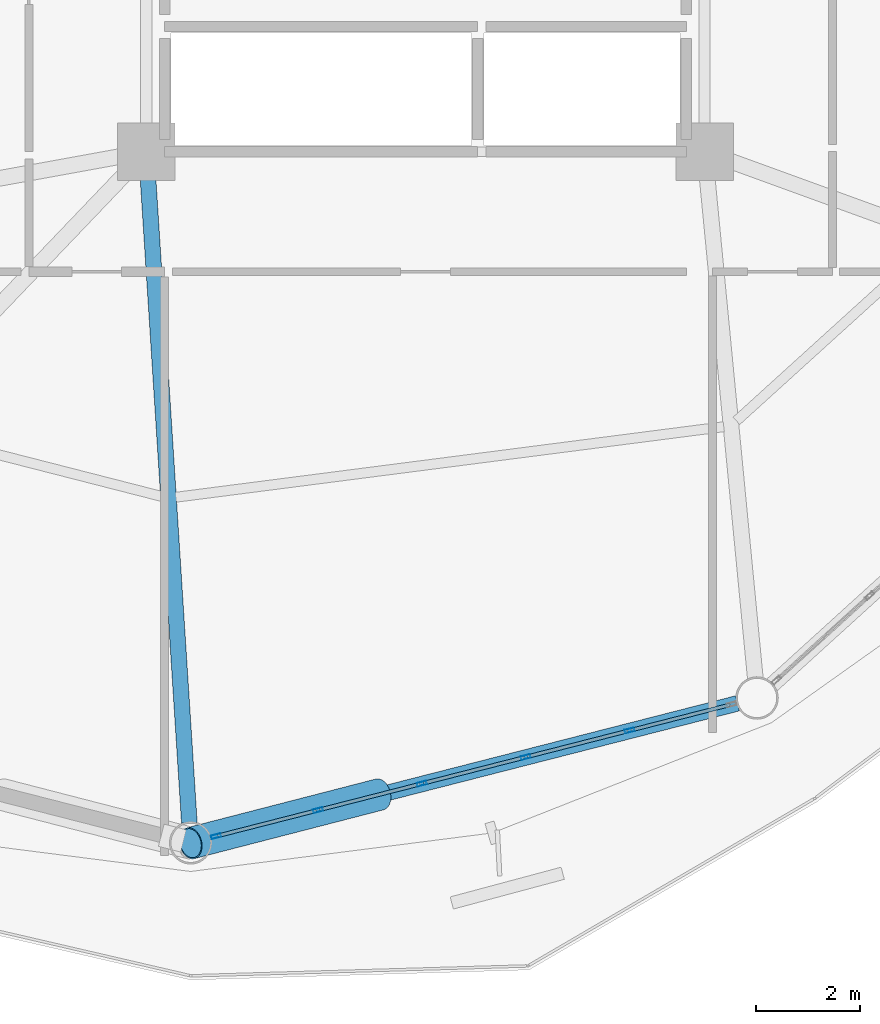
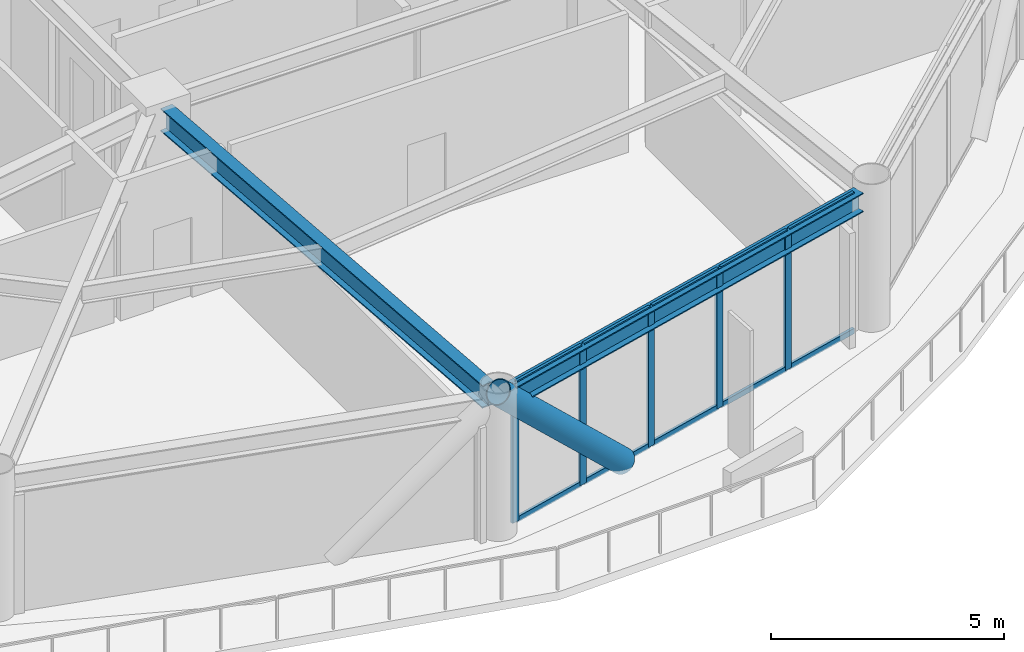
# One storey, part 5 of 23: 16 members, 2 beams, 1 element without a shape of its own.
"""IFC4 building model written with IfcOpenShell, lengths in metres."""

from ifc_helpers import new_model, si_unit, direction, frame, origin, origin_2d, place, context, subcontext, project, spatial, hollow_rectangle, hollow_circle, i_section, extrude, material, layer, layer_set, material_profile, profile_set, type_object, element, aggregate, save


model = new_model("IFC4")

# Units and contexts
model_context = context("Model", 3, precision=1e-05, world=origin(), true_north=direction((0.0, 1.0)))
body_context = subcontext(model_context, "Body", "Model", "MODEL_VIEW")
ifc_project = project(units=[si_unit("LENGTHUNIT", "METRE"), si_unit("AREAUNIT", "SQUARE_METRE"), si_unit("VOLUMEUNIT", "CUBIC_METRE"), si_unit("PLANEANGLEUNIT", "RADIAN"), si_unit("MASSUNIT", "GRAM", prefix="KILO")], contexts=[model_context])

# Site, building, storey
site_placement = place(None, origin())
site = spatial("IfcSite", under=ifc_project, at=site_placement, CompositionType="ELEMENT")
building_placement = place(site_placement, origin())
building = spatial("IfcBuilding", under=site, at=building_placement, Name="Varnakorn Sky Granary", CompositionType="ELEMENT")
storey_placement = place(building_placement, frame((0.0, 0.0, 83.699951171875)))
storey = spatial("IfcBuildingStorey", under=building, at=storey_placement, Name="L20", CompositionType="ELEMENT", Elevation=83.699951171875)

# Beams
ifc_material_1 = material(Name="Steel S355JR", Category="steel")
ifc_material_profile_1 = material_profile(ifc_material_1, i_section(OverallWidth=0.300048828125, OverallDepth=0.60009765625, WebThickness=0.015380859375, FlangeThickness=0.030029296875, at=origin_2d()), Name="HE 600 B")
ifc_profile_set_1 = profile_set([ifc_material_profile_1], Name="Steel S355JR")
beam_type_1 = type_object("IfcBeamType", Name="BM-RAD-Z2", PredefinedType="BEAM", material=ifc_profile_set_1)
beam_1_placement = place(storey_placement, frame((-2.322998046875, -7.01904296875, 3.340087890625), z_axis=(0.064003523305, -0.997949672581, 0.0), x_axis=(0.997949672581, 0.064003523305, 0.0)))
element("IfcBeam", 1, at=beam_1_placement, inside=storey, type_object=beam_type_1, Name="Radial Floor Girder RG10 L20", PredefinedType="BEAM", context=body_context, shape_type="SweptSolid", body=[
    extrude(i_section(OverallWidth=0.300048828125, OverallDepth=0.60009765625, WebThickness=0.015380859375, FlangeThickness=0.030029296875, at=origin_2d()), origin(), (0.0, 0.0, 1.0), 12.4658203125),
])
ifc_material_profile_2 = material_profile(ifc_material_1, i_section(OverallWidth=0.300048828125, OverallDepth=0.5, WebThickness=0.014404296875, FlangeThickness=0.028076171875, at=origin_2d()), Name="HE 500 B")
ifc_profile_set_2 = profile_set([ifc_material_profile_2], Name="Steel S355JR")
beam_type_2 = type_object("IfcBeamType", Name="BM-SPD-Z2", PredefinedType="SPANDREL", material=ifc_profile_set_2)
beam_2_placement = place(storey_placement, frame((-1.12060546875, -19.7529296875, 3.39013671875), z_axis=(0.968829377947, 0.247728957586, 0.0), x_axis=(-0.247728957586, 0.968829377947, 0.0)))
element("IfcBeam", 2, at=beam_2_placement, inside=storey, type_object=beam_type_2, Name="Perimeter Spandrel Ring Beam RB10 L20", PredefinedType="SPANDREL", context=body_context, shape_type="SweptSolid", body=[
    extrude(i_section(OverallWidth=0.300048828125, OverallDepth=0.5, WebThickness=0.014404296875, FlangeThickness=0.028076171875, at=origin_2d()), origin(), (0.0, 0.0, 1.0), 10.423828125),
])

# Curtain wall, members
ifc_material_2 = material(Name="Anodised Bronze Aluminium Alloy 6063-T6", Category="aluminium")
ifc_layer = layer(ifc_material_2, 0.18994140625, Name="Anodised Bronze Aluminium Alloy 6063-T6")
ifc_layer_set = layer_set([ifc_layer], Name="Anodised Bronze Aluminium Alloy 6063-T6")
curtain_wall_type = type_object("IfcCurtainWallType", Name="CW-FRM-1", PredefinedType="USERDEFINED", material=ifc_layer_set)
curtain_wall_placement = place(storey_placement, origin())
curtain_wall = element("IfcCurtainWall", 3, at=curtain_wall_placement, inside=storey, type_object=curtain_wall_type, Name="Unitised Curtain Wall CW3 CW-L20-B10", ObjectType="CURTAIN WALL", PredefinedType="USERDEFINED")
ifc_material_profile_3 = material_profile(ifc_material_2, hollow_rectangle(XDim=0.070068359375, YDim=0.18505859375, WallThickness=0.00390625, at=origin_2d()), Name="ALU MULL 70x185")
ifc_profile_set_3 = profile_set([ifc_material_profile_3], Name="Anodised Bronze Aluminium Alloy 6063-T6")
member_type_1 = type_object("IfcMemberType", Name="CW-FRM-1-MULL", PredefinedType="MULLION", material=ifc_profile_set_3)
member_1_placement = place(storey_placement, frame((6.910888671875, -17.691162109375, 0.0), z_axis=(0.0, 0.0, 1.0), x_axis=(0.247745034815, -0.968825266869, 0.0)))
member_1 = element("IfcMember", 4, at=member_1_placement, type_object=member_type_1, Name="CW3 mullion 2", PredefinedType="MULLION", context=body_context, shape_type="SweptSolid", body=[
    extrude(hollow_rectangle(XDim=0.070068359375, YDim=0.18505859375, WallThickness=0.00390625, at=origin_2d()), origin(), (0.0, 0.0, 1.0), 3.64013671875),
])
member_2_placement = place(storey_placement, frame((4.921142578125, -18.199951171875, 0.0), z_axis=(0.0, 0.0, 1.0), x_axis=(0.247745034815, -0.968825266869, 0.0)))
member_2 = element("IfcMember", 5, at=member_2_placement, type_object=member_type_1, Name="CW3 mullion 3", PredefinedType="MULLION", context=body_context, shape_type="SweptSolid", body=[
    extrude(hollow_rectangle(XDim=0.070068359375, YDim=0.18505859375, WallThickness=0.00390625, at=origin_2d()), origin(), (0.0, 0.0, 1.0), 3.64013671875),
])
member_3_placement = place(storey_placement, frame((2.931396484375, -18.708740234375, 0.0), z_axis=(0.0, 0.0, 1.0), x_axis=(0.247745034815, -0.968825266869, 0.0)))
member_3 = element("IfcMember", 6, at=member_3_placement, type_object=member_type_1, Name="CW3 mullion 4", PredefinedType="MULLION", context=body_context, shape_type="SweptSolid", body=[
    extrude(hollow_rectangle(XDim=0.070068359375, YDim=0.18505859375, WallThickness=0.00390625, at=origin_2d()), origin(), (0.0, 0.0, 1.0), 3.64013671875),
])
member_4_placement = place(storey_placement, frame((0.941650390625, -19.217529296875, 0.0), z_axis=(0.0, 0.0, 1.0), x_axis=(0.247745034815, -0.968825266869, 0.0)))
member_4 = element("IfcMember", 7, at=member_4_placement, type_object=member_type_1, Name="CW3 mullion 5", PredefinedType="MULLION", context=body_context, shape_type="SweptSolid", body=[
    extrude(hollow_rectangle(XDim=0.070068359375, YDim=0.18505859375, WallThickness=0.00390625, at=origin_2d()), origin(), (0.0, 0.0, 1.0), 3.64013671875),
])
member_5_placement = place(storey_placement, frame((-1.01416015625, -19.7177734375, 0.0), z_axis=(0.0, 0.0, 1.0), x_axis=(0.247745034815, -0.968825266869, 0.0)))
member_5 = element("IfcMember", 8, at=member_5_placement, type_object=member_type_1, Name="CW3 mullion 6", PredefinedType="MULLION", context=body_context, shape_type="SweptSolid", body=[
    extrude(hollow_rectangle(XDim=0.070068359375, YDim=0.18505859375, WallThickness=0.00390625, at=origin_2d()), origin(), (0.0, 0.0, 1.0), 3.64013671875),
])
ifc_material_profile_4 = material_profile(ifc_material_2, hollow_rectangle(XDim=0.070068359375, YDim=0.139892578125, WallThickness=0.00341796875, at=origin_2d()), Name="ALU TRAN 70x140")
ifc_profile_set_4 = profile_set([ifc_material_profile_4], Name="Anodised Bronze Aluminium Alloy 6063-T6")
member_type_2 = type_object("IfcMemberType", Name="CW-FRM-1-TRAN", PredefinedType="USERDEFINED", material=ifc_profile_set_4)
member_6_placement = place(storey_placement, frame((8.832763671875, -17.19970703125, 0.03515625), z_axis=(-0.968809000084, -0.247808638583, 0.0), x_axis=(0.247808638583, -0.968809000084, 0.0)))
member_6 = element("IfcMember", 9, at=member_6_placement, type_object=member_type_2, Name="CW3 transom 1.1", ObjectType="TRANSOM", PredefinedType="USERDEFINED", context=body_context, shape_type="SweptSolid", body=[
    extrude(hollow_rectangle(XDim=0.070068359375, YDim=0.139892578125, WallThickness=0.00341796875, at=origin_2d()), origin(), (0.0, 0.0, 1.0), 1.94873046875),
])
member_7_placement = place(storey_placement, frame((8.832763671875, -17.19970703125, 3.60498046875), z_axis=(-0.968809000084, -0.247808638583, 0.0), x_axis=(0.247808638583, -0.968809000084, 0.0)))
member_7 = element("IfcMember", 10, at=member_7_placement, type_object=member_type_2, Name="CW3 transom 1.2", ObjectType="TRANSOM", PredefinedType="USERDEFINED", context=body_context, shape_type="SweptSolid", body=[
    extrude(hollow_rectangle(XDim=0.070068359375, YDim=0.139892578125, WallThickness=0.00341796875, at=origin_2d()), origin(), (0.0, 0.0, 1.0), 1.94873046875),
])
member_8_placement = place(storey_placement, frame((6.876953125, -17.699951171875, 0.03515625), z_axis=(-0.968825378216, -0.247744599384, 0.0), x_axis=(0.247744599384, -0.968825378216, 0.0)))
member_8 = element("IfcMember", 11, at=member_8_placement, type_object=member_type_2, Name="CW3 transom 2.1", ObjectType="TRANSOM", PredefinedType="USERDEFINED", context=body_context, shape_type="SweptSolid", body=[
    extrude(hollow_rectangle(XDim=0.070068359375, YDim=0.139892578125, WallThickness=0.00341796875, at=origin_2d()), origin(), (0.0, 0.0, 1.0), 1.983642578125),
])
member_9_placement = place(storey_placement, frame((6.876953125, -17.699951171875, 3.60498046875), z_axis=(-0.968825378216, -0.247744599384, 0.0), x_axis=(0.247744599384, -0.968825378216, 0.0)))
member_9 = element("IfcMember", 12, at=member_9_placement, type_object=member_type_2, Name="CW3 transom 2.2", ObjectType="TRANSOM", PredefinedType="USERDEFINED", context=body_context, shape_type="SweptSolid", body=[
    extrude(hollow_rectangle(XDim=0.070068359375, YDim=0.139892578125, WallThickness=0.00341796875, at=origin_2d()), origin(), (0.0, 0.0, 1.0), 1.983642578125),
])
member_10_placement = place(storey_placement, frame((4.88720703125, -18.208740234375, 0.03515625), z_axis=(-0.968825378216, -0.247744599384, 0.0), x_axis=(0.247744599384, -0.968825378216, 0.0)))
member_10 = element("IfcMember", 13, at=member_10_placement, type_object=member_type_2, Name="CW3 transom 3.1", ObjectType="TRANSOM", PredefinedType="USERDEFINED", context=body_context, shape_type="SweptSolid", body=[
    extrude(hollow_rectangle(XDim=0.070068359375, YDim=0.139892578125, WallThickness=0.00341796875, at=origin_2d()), origin(), (0.0, 0.0, 1.0), 1.983642578125),
])
member_11_placement = place(storey_placement, frame((4.88720703125, -18.208740234375, 3.60498046875), z_axis=(-0.968825378216, -0.247744599384, 0.0), x_axis=(0.247744599384, -0.968825378216, 0.0)))
member_11 = element("IfcMember", 14, at=member_11_placement, type_object=member_type_2, Name="CW3 transom 3.2", ObjectType="TRANSOM", PredefinedType="USERDEFINED", context=body_context, shape_type="SweptSolid", body=[
    extrude(hollow_rectangle(XDim=0.070068359375, YDim=0.139892578125, WallThickness=0.00341796875, at=origin_2d()), origin(), (0.0, 0.0, 1.0), 1.983642578125),
])
member_12_placement = place(storey_placement, frame((2.8974609375, -18.717529296875, 0.03515625), z_axis=(-0.968825378216, -0.247744599384, 0.0), x_axis=(0.247744599384, -0.968825378216, 0.0)))
member_12 = element("IfcMember", 15, at=member_12_placement, type_object=member_type_2, Name="CW3 transom 4.1", ObjectType="TRANSOM", PredefinedType="USERDEFINED", context=body_context, shape_type="SweptSolid", body=[
    extrude(hollow_rectangle(XDim=0.070068359375, YDim=0.139892578125, WallThickness=0.00341796875, at=origin_2d()), origin(), (0.0, 0.0, 1.0), 1.983642578125),
])
member_13_placement = place(storey_placement, frame((2.8974609375, -18.717529296875, 3.60498046875), z_axis=(-0.968825378216, -0.247744599384, 0.0), x_axis=(0.247744599384, -0.968825378216, 0.0)))
member_13 = element("IfcMember", 16, at=member_13_placement, type_object=member_type_2, Name="CW3 transom 4.2", ObjectType="TRANSOM", PredefinedType="USERDEFINED", context=body_context, shape_type="SweptSolid", body=[
    extrude(hollow_rectangle(XDim=0.070068359375, YDim=0.139892578125, WallThickness=0.00341796875, at=origin_2d()), origin(), (0.0, 0.0, 1.0), 1.983642578125),
])
member_14_placement = place(storey_placement, frame((0.90771484375, -19.226318359375, 0.03515625), z_axis=(-0.96883907159, -0.247691044166, 0.0), x_axis=(0.247691044166, -0.96883907159, 0.0)))
member_14 = element("IfcMember", 17, at=member_14_placement, type_object=member_type_2, Name="CW3 transom 5.1", ObjectType="TRANSOM", PredefinedType="USERDEFINED", context=body_context, shape_type="SweptSolid", body=[
    extrude(hollow_rectangle(XDim=0.070068359375, YDim=0.139892578125, WallThickness=0.00341796875, at=origin_2d()), origin(), (0.0, 0.0, 1.0), 1.94873046875),
])
member_15_placement = place(storey_placement, frame((0.90771484375, -19.226318359375, 3.60498046875), z_axis=(-0.96883907159, -0.247691044166, 0.0), x_axis=(0.247691044166, -0.96883907159, 0.0)))
member_15 = element("IfcMember", 18, at=member_15_placement, type_object=member_type_2, Name="CW3 transom 5.2", ObjectType="TRANSOM", PredefinedType="USERDEFINED", context=body_context, shape_type="SweptSolid", body=[
    extrude(hollow_rectangle(XDim=0.070068359375, YDim=0.139892578125, WallThickness=0.00341796875, at=origin_2d()), origin(), (0.0, 0.0, 1.0), 1.94873046875),
])
aggregate(curtain_wall, [member_1, member_2, member_3, member_4, member_5, member_6, member_7, member_8, member_9, member_10, member_11, member_12, member_13, member_14, member_15])

# Member
ifc_material_3 = material(Name="Steel S460M", Category="steel")
ifc_material_profile_5 = material_profile(ifc_material_3, hollow_circle(Radius=0.304931640625, WallThickness=0.022216796875, at=origin_2d()), Name="CHS 610x22")
ifc_profile_set_5 = profile_set([ifc_material_profile_5], Name="Steel S460M")
member_type_3 = type_object("IfcMemberType", Name="MB-DIAG-T1", PredefinedType="BRACE", material=ifc_profile_set_5)
member_16_placement = place(storey_placement, frame((2.117431640625, -18.9169921875, 0.0), z_axis=(-0.693520437269, -0.178891483515, 0.697873369757), x_axis=(0.249771288263, -0.968304860857, 0.0)))
element("IfcMember", 19, at=member_16_placement, inside=storey, type_object=member_type_3, Name="Perimeter CHS Diagrid Brace DG10 L20", PredefinedType="BRACE", context=body_context, shape_type="SweptSolid", body=[
    extrude(hollow_circle(Radius=0.304931640625, WallThickness=0.022216796875, at=origin_2d()), origin(), (0.0, 0.0, 1.0), 5.216064453125),
])

save(model, "model.ifc")
